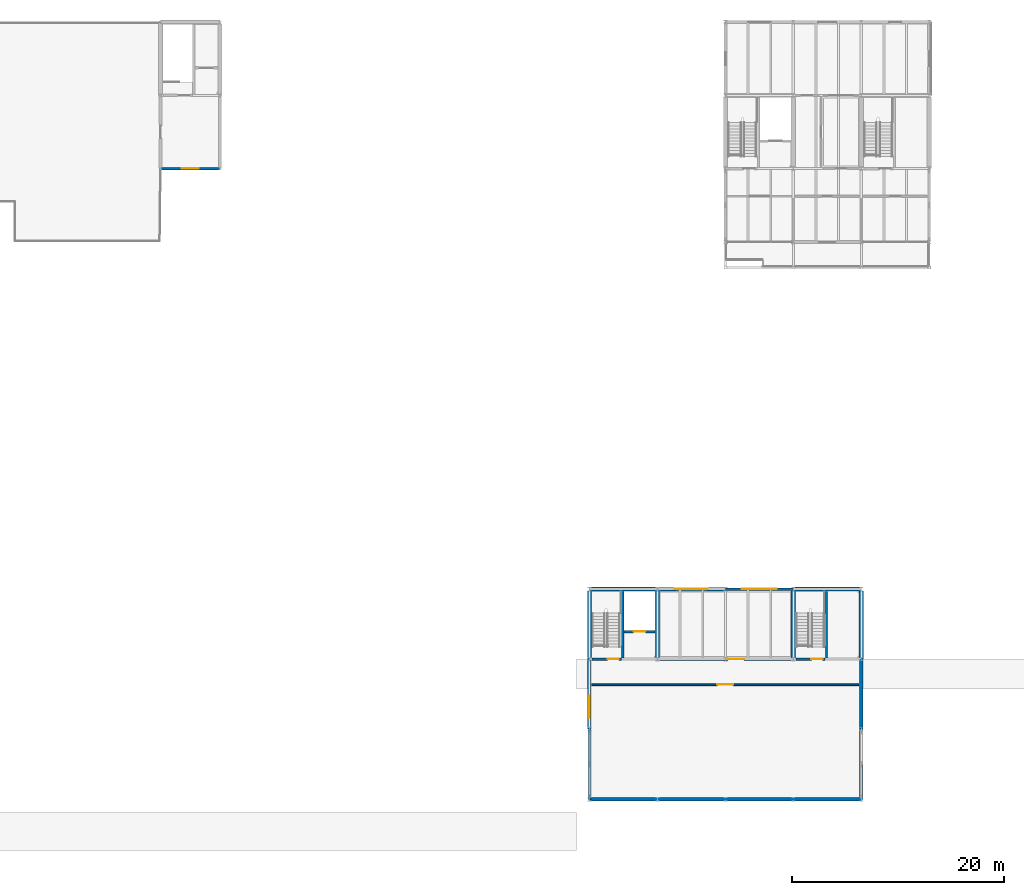
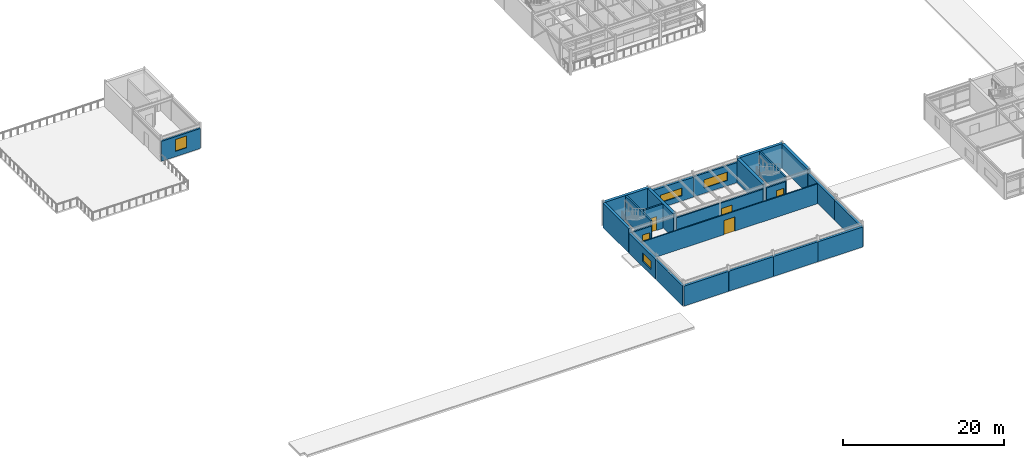
# One storey, part 37 of 49: 24 walls, 5 doors, 4 windows, 9 openings.
"""IFC4 building model written with IfcOpenShell, lengths in metres."""

from ifc_helpers import new_model, si_unit, direction, frame, frame_2d, origin, place, context, subcontext, project, spatial, rectangle, extrude, material, layer, layer_set, type_object, element, fill, save


model = new_model("IFC4")

# Units and contexts
model_context = context("Model", 3, precision=1e-05, world=origin(), true_north=direction((0.0, 1.0)))
body_context = subcontext(model_context, "Body", "Model", "MODEL_VIEW")
ifc_project = project(units=[si_unit("LENGTHUNIT", "METRE"), si_unit("AREAUNIT", "SQUARE_METRE"), si_unit("VOLUMEUNIT", "CUBIC_METRE"), si_unit("PLANEANGLEUNIT", "RADIAN"), si_unit("MASSUNIT", "GRAM", prefix="KILO")], contexts=[model_context])

# Site, building, storey
site_placement = place(None, origin())
site = spatial("IfcSite", under=ifc_project, at=site_placement, CompositionType="ELEMENT")
building_placement = place(site_placement, origin())
building = spatial("IfcBuilding", under=site, at=building_placement, Name="Trelmorton Wharf Fire Station", CompositionType="ELEMENT")
storey_placement = place(building_placement, frame((0.0, 0.0, 9.60009765625)))
storey = spatial("IfcBuildingStorey", under=building, at=storey_placement, Name="L02", CompositionType="ELEMENT", Elevation=9.60009765625)

# Wall, opening, window
ifc_material_1 = material(Name="Precast concrete 45 MPa", Category="concrete")
ifc_layer_1 = layer(ifc_material_1, 0.25)
ifc_layer_set_1 = layer_set([ifc_layer_1], Name="Precast concrete 45 MPa")
wall_type_1 = type_object("IfcWallType", Name="EW_PREC_250", PredefinedType="SOLIDWALL", material=ifc_layer_set_1)
wall_1_placement = place(storey_placement, frame((70.804931640625, 27.60009765625, 0.0), z_axis=(0.0, 0.0, 1.0), x_axis=(1.0, 0.0, 0.0)))
wall_1 = element("IfcWall", 1, at=wall_1_placement, inside=storey, type_object=wall_type_1, Name="EW-V3-L02-0055", PredefinedType="SOLIDWALL", context=body_context, shape_type="SweptSolid", body=[
    extrude(rectangle(XDim=6.39013671875, YDim=0.25, at=frame_2d((3.195068359375, 0.0))), origin(), (0.0, 0.0, 1.0), 3.02001953125),
])
opening_1_placement = place(wall_1_placement, frame((1.544921875, 0.0, 0.800048828125)))
opening_1 = element("IfcOpeningElement", 2, at=opening_1_placement, cuts=wall_1, Name="Opening W30", PredefinedType="OPENING", context=body_context, shape_type="SweptSolid", body=[
    extrude(rectangle(XDim=3.300048828125, YDim=1.25, at=frame_2d((1.64990234375, 0.625))), frame((0.0, 0.135009765625, 0.0), z_axis=(0.0, -1.0, 0.0), x_axis=(1.0, 0.0, 0.0)), (0.0, 0.0, 1.0), 0.27001953125),
])
ifc_material_2 = material(Name="Tempered low-E double glazing", Category="glass")
window_type_1 = type_object("IfcWindowType", Name="WIN_W30", PartitioningType="TRIPLE_PANEL_VERTICAL", PredefinedType="WINDOW", material=ifc_material_2)
window_1_placement = place(opening_1_placement, origin())
window_1 = element("IfcWindow", 3, at=window_1_placement, inside=storey, type_object=window_type_1, Name="WN-V3-L02-0019", OverallHeight=1.25, OverallWidth=3.300048828125, PartitioningType="TRIPLE_PANEL_VERTICAL", PredefinedType="WINDOW", context=body_context, shape_type="SweptSolid", body=[
    extrude(rectangle(XDim=3.300048828125, YDim=1.25, at=frame_2d((1.64990234375, 0.625))), frame((0.0, 0.030029296875, 0.0), z_axis=(0.0, -1.0, 0.0), x_axis=(1.0, 0.0, 0.0)), (0.0, 0.0, 1.0), 0.06005859375),
])
fill(opening_1, window_1)

wall_2_placement = place(storey_placement, frame((23.195068359375, 67.199951171875, 0.0), z_axis=(0.0, 0.0, 1.0), x_axis=(-1.0, 0.0, 0.0)))
wall_2 = element("IfcWall", 4, at=wall_2_placement, inside=storey, type_object=wall_type_1, Name="EW-V6-L02-0151", PredefinedType="SOLIDWALL", context=body_context, shape_type="SweptSolid", body=[
    extrude(rectangle(XDim=5.590087890625, YDim=0.25, at=frame_2d((2.794921875, 0.0))), origin(), (0.0, 0.0, 1.0), 3.02001953125),
])
opening_2_placement = place(wall_2_placement, frame((1.9951171875, 0.0, 0.800048828125)))
opening_2 = element("IfcOpeningElement", 5, at=opening_2_placement, cuts=wall_2, Name="Opening W20", PredefinedType="OPENING", context=body_context, shape_type="SweptSolid", body=[
    extrude(rectangle(XDim=1.60009765625, YDim=1.800048828125, at=frame_2d((0.800048828125, 0.89990234375))), frame((0.0, 0.135009765625, 0.0), z_axis=(0.0, -1.0, 0.0), x_axis=(1.0, 0.0, 0.0)), (0.0, 0.0, 1.0), 0.27001953125),
])
window_type_2 = type_object("IfcWindowType", Name="WIN_W20", PartitioningType="DOUBLE_PANEL_VERTICAL", PredefinedType="WINDOW", material=ifc_material_2)
window_2_placement = place(opening_2_placement, origin())
window_2 = element("IfcWindow", 6, at=window_2_placement, inside=storey, type_object=window_type_2, Name="WN-V6-L02-0082", OverallHeight=1.800048828125, OverallWidth=1.60009765625, PartitioningType="DOUBLE_PANEL_VERTICAL", PredefinedType="WINDOW", context=body_context, shape_type="SweptSolid", body=[
    extrude(rectangle(XDim=1.60009765625, YDim=1.800048828125, at=frame_2d((0.800048828125, 0.89990234375))), frame((0.0, 0.030029296875, 0.0), z_axis=(0.0, -1.0, 0.0), x_axis=(1.0, 0.0, 0.0)), (0.0, 0.0, 1.0), 0.06005859375),
])
fill(opening_2, window_2)

# Walls
ifc_layer_2 = layer(ifc_material_1, 0.2900390625)
ifc_layer_set_2 = layer_set([ifc_layer_2], Name="Precast concrete 45 MPa")
wall_type_2 = type_object("IfcWallType", Name="EW_TERR_290", PredefinedType="SOLIDWALL", material=ifc_layer_set_2)
wall_3_placement = place(storey_placement, frame((58.0, 7.804931640625, 0.0), z_axis=(0.0, 0.0, 1.0), x_axis=(0.0, 1.0, 0.0)))
element("IfcWall", 7, at=wall_3_placement, inside=storey, type_object=wall_type_2, Name="EW-V3-L02-0057", PredefinedType="SOLIDWALL", context=body_context, shape_type="SweptSolid", body=[
    extrude(rectangle(XDim=6.590087890625, YDim=0.2900390625, at=frame_2d((3.294921875, 0.0))), origin(), (0.0, 0.0, 1.0), 3.02001953125),
])
ifc_layer_3 = layer(ifc_material_1, 0.330078125)
ifc_layer_set_3 = layer_set([ifc_layer_3], Name="Precast concrete 45 MPa")
wall_type_3 = type_object("IfcWallType", Name="EW_TERR_330", PredefinedType="SOLIDWALL", material=ifc_layer_set_3)
wall_4_placement = place(storey_placement, frame((64.39501953125, 7.800048828125, 0.0), z_axis=(0.0, 0.0, 1.0), x_axis=(-1.0, 0.0, 0.0)))
element("IfcWall", 8, at=wall_4_placement, inside=storey, type_object=wall_type_3, Name="EW-V3-L02-0051", PredefinedType="SOLIDWALL", context=body_context, shape_type="SweptSolid", body=[
    extrude(rectangle(XDim=6.39013671875, YDim=0.330078125, at=frame_2d((3.195068359375, 0.0))), origin(), (0.0, 0.0, 1.0), 3.02001953125),
])
wall_5_placement = place(storey_placement, frame((70.794921875, 7.800048828125, 0.0), z_axis=(0.0, 0.0, 1.0), x_axis=(-1.0, 0.0, 0.0)))
element("IfcWall", 9, at=wall_5_placement, inside=storey, type_object=wall_type_3, Name="EW-V3-L02-0052", PredefinedType="SOLIDWALL", context=body_context, shape_type="SweptSolid", body=[
    extrude(rectangle(XDim=6.389892578125, YDim=0.330078125, at=frame_2d((3.19482421875, 0.0))), origin(), (0.0, 0.0, 1.0), 3.02001953125),
])

# Wall, opening, window
wall_6_placement = place(storey_placement, frame((64.405029296875, 27.60009765625, 0.0), z_axis=(0.0, 0.0, 1.0), x_axis=(1.0, 0.0, 0.0)))
wall_6 = element("IfcWall", 10, at=wall_6_placement, inside=storey, type_object=wall_type_3, Name="EW-V3-L02-0053", PredefinedType="SOLIDWALL", context=body_context, shape_type="SweptSolid", body=[
    extrude(rectangle(XDim=6.389892578125, YDim=0.330078125, at=frame_2d((3.19482421875, 0.0))), origin(), (0.0, 0.0, 1.0), 3.02001953125),
])
opening_3_placement = place(wall_6_placement, frame((1.64501953125, 0.0, 0.800048828125)))
opening_3 = element("IfcOpeningElement", 11, at=opening_3_placement, cuts=wall_6, Name="Opening W29", PredefinedType="OPENING", context=body_context, shape_type="SweptSolid", body=[
    extrude(rectangle(XDim=3.10009765625, YDim=1.14990234375, at=frame_2d((1.550048828125, 0.574951171875))), frame((0.0, 0.175048828125, 0.0), z_axis=(0.0, -1.0, 0.0), x_axis=(1.0, 0.0, 0.0)), (0.0, 0.0, 1.0), 0.35009765625),
])
window_type_3 = type_object("IfcWindowType", Name="WIN_W29", PartitioningType="TRIPLE_PANEL_VERTICAL", PredefinedType="WINDOW", material=ifc_material_2)
window_3_placement = place(opening_3_placement, origin())
window_3 = element("IfcWindow", 12, at=window_3_placement, inside=storey, type_object=window_type_3, Name="WN-V3-L02-0018", OverallHeight=1.14990234375, OverallWidth=3.10009765625, PartitioningType="TRIPLE_PANEL_VERTICAL", PredefinedType="WINDOW", context=body_context, shape_type="SweptSolid", body=[
    extrude(rectangle(XDim=3.10009765625, YDim=1.14990234375, at=frame_2d((1.550048828125, 0.574951171875))), frame((0.0, 0.030029296875, 0.0), z_axis=(0.0, -1.0, 0.0), x_axis=(1.0, 0.0, 0.0)), (0.0, 0.0, 1.0), 0.06005859375),
])
fill(opening_3, window_3)

# Walls
wall_7_placement = place(storey_placement, frame((77.195068359375, 7.800048828125, 0.0), z_axis=(0.0, 0.0, 1.0), x_axis=(-1.0, 0.0, 0.0)))
element("IfcWall", 13, at=wall_7_placement, inside=storey, type_object=wall_type_3, Name="EW-V3-L02-0054", PredefinedType="SOLIDWALL", context=body_context, shape_type="SweptSolid", body=[
    extrude(rectangle(XDim=6.39013671875, YDim=0.330078125, at=frame_2d((3.195068359375, 0.0))), origin(), (0.0, 0.0, 1.0), 3.02001953125),
])
wall_8_placement = place(storey_placement, frame((83.594970703125, 7.800048828125, 0.0), z_axis=(0.0, 0.0, 1.0), x_axis=(-1.0, 0.0, 0.0)))
element("IfcWall", 14, at=wall_8_placement, inside=storey, type_object=wall_type_3, Name="EW-V3-L02-0056", PredefinedType="SOLIDWALL", context=body_context, shape_type="SweptSolid", body=[
    extrude(rectangle(XDim=6.389892578125, YDim=0.330078125, at=frame_2d((3.19482421875, 0.0))), origin(), (0.0, 0.0, 1.0), 3.02001953125),
])
wall_9_placement = place(storey_placement, frame((83.60009765625, 14.39501953125, 0.0), z_axis=(0.0, 0.0, 1.0), x_axis=(0.0, -1.0, 0.0)))
element("IfcWall", 15, at=wall_9_placement, inside=storey, type_object=wall_type_3, Name="EW-V3-L02-0058", PredefinedType="SOLIDWALL", context=body_context, shape_type="SweptSolid", body=[
    extrude(rectangle(XDim=6.590087890625, YDim=0.330078125, at=frame_2d((3.294921875, 0.0))), origin(), (0.0, 0.0, 1.0), 3.02001953125),
])

# Wall, opening, window
wall_10_placement = place(storey_placement, frame((58.0, 14.405029296875, 0.0), z_axis=(0.0, 0.0, 1.0), x_axis=(0.0, 1.0, 0.0)))
wall_10 = element("IfcWall", 16, at=wall_10_placement, inside=storey, type_object=wall_type_3, Name="EW-V3-L02-0059", PredefinedType="SOLIDWALL", context=body_context, shape_type="SweptSolid", body=[
    extrude(rectangle(XDim=6.590087890625, YDim=0.330078125, at=frame_2d((3.294921875, 0.0))), origin(), (0.0, 0.0, 1.0), 3.02001953125),
])
opening_4_placement = place(wall_10_placement, frame((1.0625, 0.0, 0.800048828125)))
opening_4 = element("IfcOpeningElement", 17, at=opening_4_placement, cuts=wall_10, Name="Opening W31", PredefinedType="OPENING", context=body_context, shape_type="SweptSolid", body=[
    extrude(rectangle(XDim=2.10009765625, YDim=1.25, at=frame_2d((1.050048828125, 0.625))), frame((0.0, 0.175048828125, 0.0), z_axis=(0.0, -1.0, 0.0), x_axis=(1.0, 0.0, 0.0)), (0.0, 0.0, 1.0), 0.35009765625),
])
window_type_4 = type_object("IfcWindowType", Name="WIN_W31", PartitioningType="DOUBLE_PANEL_VERTICAL", PredefinedType="WINDOW", material=ifc_material_2)
window_4_placement = place(opening_4_placement, origin())
window_4 = element("IfcWindow", 18, at=window_4_placement, inside=storey, type_object=window_type_4, Name="WN-V3-L02-0020", OverallHeight=1.25, OverallWidth=2.10009765625, PartitioningType="DOUBLE_PANEL_VERTICAL", PredefinedType="WINDOW", context=body_context, shape_type="SweptSolid", body=[
    extrude(rectangle(XDim=2.10009765625, YDim=1.25, at=frame_2d((1.050048828125, 0.625))), frame((0.0, 0.030029296875, 0.0), z_axis=(0.0, -1.0, 0.0), x_axis=(1.0, 0.0, 0.0)), (0.0, 0.0, 1.0), 0.06005859375),
])
fill(opening_4, window_4)

# Walls
wall_11_placement = place(storey_placement, frame((83.60009765625, 20.9951171875, 0.0), z_axis=(0.0, 0.0, 1.0), x_axis=(0.0, -1.0, 0.0)))
element("IfcWall", 19, at=wall_11_placement, inside=storey, type_object=wall_type_3, Name="EW-V3-L02-0060", PredefinedType="SOLIDWALL", context=body_context, shape_type="SweptSolid", body=[
    extrude(rectangle(XDim=6.590087890625, YDim=0.330078125, at=frame_2d((3.294921875, 0.0))), origin(), (0.0, 0.0, 1.0), 3.02001953125),
])
ifc_material_3 = material(Name="Concrete 40 MPa", Category="concrete")
ifc_layer_4 = layer(ifc_material_3, 0.219970703125)
ifc_layer_set_4 = layer_set([ifc_layer_4], Name="Concrete 40 MPa")
wall_type_4 = type_object("IfcWallType", Name="IW_CORE_220", PredefinedType="SOLIDWALL", material=ifc_layer_set_4)
wall_12_placement = place(storey_placement, frame((61.1201171875, 21.1201171875, 0.0), z_axis=(0.0, 0.0, 1.0), x_axis=(0.0, 1.0, 0.0)))
element("IfcWall", 20, at=wall_12_placement, inside=storey, type_object=wall_type_4, Name="IW-C2-DIV-L02", PredefinedType="SOLIDWALL", context=body_context, shape_type="SweptSolid", body=[
    extrude(rectangle(XDim=6.2548828125, YDim=0.219970703125, at=frame_2d((3.12744140625, 0.0))), origin(), (0.0, 0.0, 1.0), 3.659912109375),
])

# Wall, opening, door
wall_13_placement = place(storey_placement, frame((58.260009765625, 21.0, 0.0), z_axis=(0.0, 0.0, 1.0), x_axis=(1.0, 0.0, 0.0)))
wall_13 = element("IfcWall", 21, at=wall_13_placement, inside=storey, type_object=wall_type_4, Name="IW-C2-SF-L02", PredefinedType="SOLIDWALL", context=body_context, shape_type="SweptSolid", body=[
    extrude(rectangle(XDim=2.739990234375, YDim=0.219970703125, at=frame_2d((1.3701171875, 0.0))), origin(), (0.0, 0.0, 1.0), 3.02001953125),
])
opening_5_placement = place(wall_13_placement, frame((1.43994140625, 0.0, 0.0)))
opening_5 = element("IfcOpeningElement", 22, at=opening_5_placement, cuts=wall_13, Name="Opening FD-005", PredefinedType="OPENING", context=body_context, shape_type="SweptSolid", body=[
    extrude(rectangle(XDim=1.06005859375, YDim=2.10009765625, at=frame_2d((0.530029296875, 1.050048828125))), frame((0.0, 0.1201171875, 0.0), z_axis=(0.0, -1.0, 0.0), x_axis=(1.0, 0.0, 0.0)), (0.0, 0.0, 1.0), 0.239990234375),
])
ifc_material_4 = material(Name="Stainless steel 316 marine grade", Category="steel")
door_type_1 = type_object("IfcDoorType", Name="DR_FIRE_106", OperationType="NOTDEFINED", PredefinedType="DOOR", material=ifc_material_4)
door_1_placement = place(opening_5_placement, origin())
door_1 = element("IfcDoor", 23, at=door_1_placement, inside=storey, type_object=door_type_1, Name="Stair Fire Door FD-005", OperationType="SINGLE_SWING_RIGHT", OverallHeight=2.10009765625, OverallWidth=1.06005859375, PredefinedType="DOOR", context=body_context, shape_type="SweptSolid", body=[
    extrude(rectangle(XDim=1.06005859375, YDim=2.10009765625, at=frame_2d((0.530029296875, 1.050048828125))), frame((0.0, 0.02490234375, 0.0), z_axis=(0.0, -1.0, 0.0), x_axis=(1.0, 0.0, 0.0)), (0.0, 0.0, 1.0), 0.050048828125),
])
fill(opening_5, door_1)

wall_14_placement = place(storey_placement, frame((61.239990234375, 23.60009765625, 0.0), z_axis=(0.0, 0.0, 1.0), x_axis=(1.0, 0.0, 0.0)))
wall_14 = element("IfcWall", 24, at=wall_14_placement, inside=storey, type_object=wall_type_4, Name="IW-C2-LSH-L02", PredefinedType="SOLIDWALL", context=body_context, shape_type="SweptSolid", body=[
    extrude(rectangle(XDim=2.93505859375, YDim=0.219970703125, at=frame_2d((1.467529296875, 0.0))), origin(), (0.0, 0.0, 1.0), 3.659912109375),
])
opening_6_placement = place(wall_14_placement, frame((0.91748046875, 0.0, 0.0)))
opening_6 = element("IfcOpeningElement", 25, at=opening_6_placement, cuts=wall_14, Name="Opening LD-003", PredefinedType="OPENING", context=body_context, shape_type="SweptSolid", body=[
    extrude(rectangle(XDim=1.10009765625, YDim=2.10009765625, at=frame_2d((0.550048828125, 1.050048828125))), frame((0.0, 0.1201171875, 0.0), z_axis=(0.0, -1.0, 0.0), x_axis=(1.0, 0.0, 0.0)), (0.0, 0.0, 1.0), 0.239990234375),
])
door_type_2 = type_object("IfcDoorType", Name="DR_LIFT_110", OperationType="DOUBLE_DOOR_SLIDING", PredefinedType="DOOR", material=ifc_material_4)
door_2_placement = place(opening_6_placement, origin())
door_2 = element("IfcDoor", 26, at=door_2_placement, inside=storey, type_object=door_type_2, Name="Lift Landing Door LD-003", OperationType="DOUBLE_DOOR_SLIDING", OverallHeight=2.10009765625, OverallWidth=1.10009765625, PredefinedType="DOOR", context=body_context, shape_type="SweptSolid", body=[
    extrude(rectangle(XDim=1.10009765625, YDim=2.10009765625, at=frame_2d((0.550048828125, 1.050048828125))), frame((0.0, 0.02490234375, 0.0), z_axis=(0.0, -1.0, 0.0), x_axis=(1.0, 0.0, 0.0)), (0.0, 0.0, 1.0), 0.050048828125),
])
fill(opening_6, door_2)

# Wall
wall_15_placement = place(storey_placement, frame((80.320068359375, 21.1201171875, 0.0), z_axis=(0.0, 0.0, 1.0), x_axis=(0.0, 1.0, 0.0)))
element("IfcWall", 27, at=wall_15_placement, inside=storey, type_object=wall_type_4, Name="IW-C2B-DIV-L02", PredefinedType="SOLIDWALL", context=body_context, shape_type="SweptSolid", body=[
    extrude(rectangle(XDim=6.2548828125, YDim=0.219970703125, at=frame_2d((3.12744140625, 0.0))), origin(), (0.0, 0.0, 1.0), 3.659912109375),
])

# Wall, opening, door
wall_16_placement = place(storey_placement, frame((77.4599609375, 21.0, 0.0), z_axis=(0.0, 0.0, 1.0), x_axis=(1.0, 0.0, 0.0)))
wall_16 = element("IfcWall", 28, at=wall_16_placement, inside=storey, type_object=wall_type_4, Name="IW-C2B-SF-L02", PredefinedType="SOLIDWALL", context=body_context, shape_type="SweptSolid", body=[
    extrude(rectangle(XDim=2.739990234375, YDim=0.219970703125, at=frame_2d((1.3701171875, 0.0))), origin(), (0.0, 0.0, 1.0), 3.02001953125),
])
opening_7_placement = place(wall_16_placement, frame((1.43994140625, 0.0, 0.0)))
opening_7 = element("IfcOpeningElement", 29, at=opening_7_placement, cuts=wall_16, Name="Opening FD-009", PredefinedType="OPENING", context=body_context, shape_type="SweptSolid", body=[
    extrude(rectangle(XDim=1.06005859375, YDim=2.10009765625, at=frame_2d((0.530029296875, 1.050048828125))), frame((0.0, 0.1201171875, 0.0), z_axis=(0.0, -1.0, 0.0), x_axis=(1.0, 0.0, 0.0)), (0.0, 0.0, 1.0), 0.239990234375),
])
door_3_placement = place(opening_7_placement, origin())
door_3 = element("IfcDoor", 30, at=door_3_placement, inside=storey, type_object=door_type_1, Name="Stair Fire Door FD-009", OperationType="SINGLE_SWING_LEFT", OverallHeight=2.10009765625, OverallWidth=1.06005859375, PredefinedType="DOOR", context=body_context, shape_type="SweptSolid", body=[
    extrude(rectangle(XDim=1.06005859375, YDim=2.10009765625, at=frame_2d((0.530029296875, 1.050048828125))), frame((0.0, 0.02490234375, 0.0), z_axis=(0.0, -1.0, 0.0), x_axis=(1.0, 0.0, 0.0)), (0.0, 0.0, 1.0), 0.050048828125),
])
fill(opening_7, door_3)

ifc_layer_5 = layer(ifc_material_1, 0.169921875)
ifc_layer_set_5 = layer_set([ifc_layer_5], Name="Precast concrete 45 MPa")
wall_type_5 = type_object("IfcWallType", Name="IW_FIRE_170", PredefinedType="PARTITIONING", material=ifc_layer_set_5)
wall_17_placement = place(storey_placement, frame((58.219970703125, 18.60009765625, 0.0), z_axis=(0.0, 0.0, 1.0), x_axis=(1.0, 0.0, 0.0)))
wall_17 = element("IfcWall", 31, at=wall_17_placement, inside=storey, type_object=wall_type_5, Name="IW-L02-0130", PredefinedType="PARTITIONING", context=body_context, shape_type="SweptSolid", body=[
    extrude(rectangle(XDim=25.159912109375, YDim=0.169921875, at=frame_2d((12.580078125, 0.0))), origin(), (0.0, 0.0, 1.0), 3.0),
])
opening_8_placement = place(wall_17_placement, frame((11.820068359375, 0.0, 0.0)))
opening_8 = element("IfcOpeningElement", 32, at=opening_8_placement, cuts=wall_17, Name="Opening D-089", PredefinedType="OPENING", context=body_context, shape_type="SweptSolid", body=[
    extrude(rectangle(XDim=1.52001953125, YDim=2.14990234375, at=frame_2d((0.760009765625, 1.074951171875))), frame((0.0, 0.094970703125, 0.0), z_axis=(0.0, -1.0, 0.0), x_axis=(1.0, 0.0, 0.0)), (0.0, 0.0, 1.0), 0.18994140625),
])
door_type_3 = type_object("IfcDoorType", Name="DR_FIRE_152", OperationType="DOUBLE_DOOR_SINGLE_SWING", PredefinedType="DOOR", material=ifc_material_4)
door_4_placement = place(opening_8_placement, origin())
door_4 = element("IfcDoor", 33, at=door_4_placement, inside=storey, type_object=door_type_3, Name="Interior Door D-089", OperationType="DOUBLE_DOOR_SINGLE_SWING", OverallHeight=2.14990234375, OverallWidth=1.52001953125, PredefinedType="DOOR", context=body_context, shape_type="SweptSolid", body=[
    extrude(rectangle(XDim=1.52001953125, YDim=2.14990234375, at=frame_2d((0.760009765625, 1.074951171875))), frame((0.0, 0.02490234375, 0.0), z_axis=(0.0, -1.0, 0.0), x_axis=(1.0, 0.0, 0.0)), (0.0, 0.0, 1.0), 0.050048828125),
])
fill(opening_8, door_4)

ifc_layer_6 = layer(ifc_material_1, 0.199951171875)
ifc_layer_set_6 = layer_set([ifc_layer_6], Name="Precast concrete 45 MPa")
wall_type_6 = type_object("IfcWallType", Name="IW_FIRE_200", PredefinedType="PARTITIONING", material=ifc_layer_set_6)
wall_18_placement = place(storey_placement, frame((64.6201171875, 21.0, 0.0), z_axis=(0.0, 0.0, 1.0), x_axis=(1.0, 0.0, 0.0)))
wall_18 = element("IfcWall", 34, at=wall_18_placement, inside=storey, type_object=wall_type_6, Name="IW-L02-0131", PredefinedType="PARTITIONING", context=body_context, shape_type="SweptSolid", body=[
    extrude(rectangle(XDim=12.35986328125, YDim=0.199951171875, at=frame_2d((6.179931640625, 0.0))), origin(), (0.0, 0.0, 1.0), 3.0),
])
opening_9_placement = place(wall_18_placement, frame((6.419921875, 0.0, 0.0)))
opening_9 = element("IfcOpeningElement", 35, at=opening_9_placement, cuts=wall_18, Name="Opening D-090", PredefinedType="OPENING", context=body_context, shape_type="SweptSolid", body=[
    extrude(rectangle(XDim=1.52001953125, YDim=2.14990234375, at=frame_2d((0.760009765625, 1.074951171875))), frame((0.0, 0.10986328125, 0.0), z_axis=(0.0, -1.0, 0.0), x_axis=(1.0, 0.0, 0.0)), (0.0, 0.0, 1.0), 0.219970703125),
])
door_5_placement = place(opening_9_placement, origin())
door_5 = element("IfcDoor", 36, at=door_5_placement, inside=storey, type_object=door_type_3, Name="Interior Door D-090", OperationType="DOUBLE_DOOR_SINGLE_SWING", OverallHeight=2.14990234375, OverallWidth=1.52001953125, PredefinedType="DOOR", context=body_context, shape_type="SweptSolid", body=[
    extrude(rectangle(XDim=1.52001953125, YDim=2.14990234375, at=frame_2d((0.760009765625, 1.074951171875))), frame((0.0, 0.02490234375, 0.0), z_axis=(0.0, -1.0, 0.0), x_axis=(1.0, 0.0, 0.0)), (0.0, 0.0, 1.0), 0.050048828125),
])
fill(opening_9, door_5)

# Walls
ifc_material_5 = material(Name="Concrete 50 MPa", Category="concrete")
ifc_layer_7 = layer(ifc_material_5, 0.39990234375)
ifc_layer_set_7 = layer_set([ifc_layer_7], Name="Concrete 50 MPa")
wall_type_7 = type_object("IfcWallType", Name="WL_CORE_400", PredefinedType="SHEAR", material=ifc_layer_set_7)
for number, where, z_axis, x_axis, name in (
    (37, (58.0, 27.60009765625, 0.0), (0.0, 0.0, 1.0), (1.0, 0.0, 0.0), "WL-SW-C2-L02-013"),
    (38, (58.0, 21.0, 0.0), (0.0, 0.0, 1.0), (0.0, 1.0, 0.0), "WL-SW-C2-L02-014"),
    (39, (64.39990234375, 21.0, 0.0), (0.0, 0.0, 1.0), (0.0, 1.0, 0.0), "WL-SW-C2-L02-015"),
):
    element("IfcWall", number, at=place(storey_placement, frame(where, z_axis=z_axis, x_axis=x_axis)), inside=storey, type_object=wall_type_7, Name=name, PredefinedType="SHEAR", context=body_context, shape_type="SweptSolid", body=[
        extrude(rectangle(XDim=6.39990234375, YDim=0.39990234375, at=frame_2d((3.199951171875, 0.0))), origin(), (0.0, 0.0, 1.0), 3.659912109375),
    ])
wall_19_placement = place(storey_placement, frame((77.199951171875, 27.60009765625, 0.0), z_axis=(0.0, 0.0, 1.0), x_axis=(1.0, 0.0, 0.0)))
element("IfcWall", 40, at=wall_19_placement, inside=storey, type_object=wall_type_7, Name="WL-SW-C2B-L02-025", PredefinedType="SHEAR", context=body_context, shape_type="SweptSolid", body=[
    extrude(rectangle(XDim=6.400146484375, YDim=0.39990234375, at=frame_2d((3.2001953125, 0.0))), origin(), (0.0, 0.0, 1.0), 3.659912109375),
])
for number, where, z_axis, x_axis, name in (
    (41, (77.199951171875, 21.0, 0.0), (0.0, 0.0, 1.0), (0.0, 1.0, 0.0), "WL-SW-C2B-L02-026"),
    (42, (83.60009765625, 21.0, 0.0), (0.0, 0.0, 1.0), (0.0, 1.0, 0.0), "WL-SW-C2B-L02-027"),
):
    element("IfcWall", number, at=place(storey_placement, frame(where, z_axis=z_axis, x_axis=x_axis)), inside=storey, type_object=wall_type_7, Name=name, PredefinedType="SHEAR", context=body_context, shape_type="SweptSolid", body=[
        extrude(rectangle(XDim=6.39990234375, YDim=0.39990234375, at=frame_2d((3.199951171875, 0.0))), origin(), (0.0, 0.0, 1.0), 3.659912109375),
    ])

save(model, "model.ifc")
